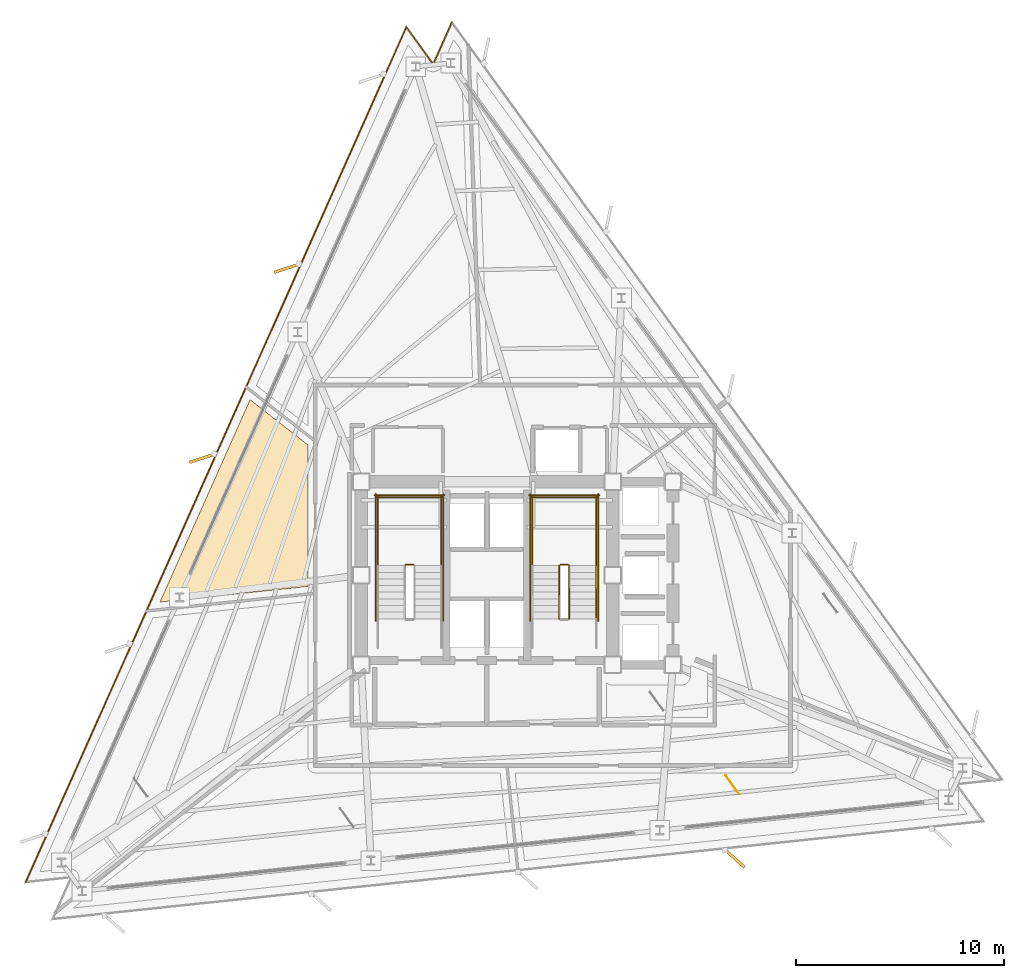
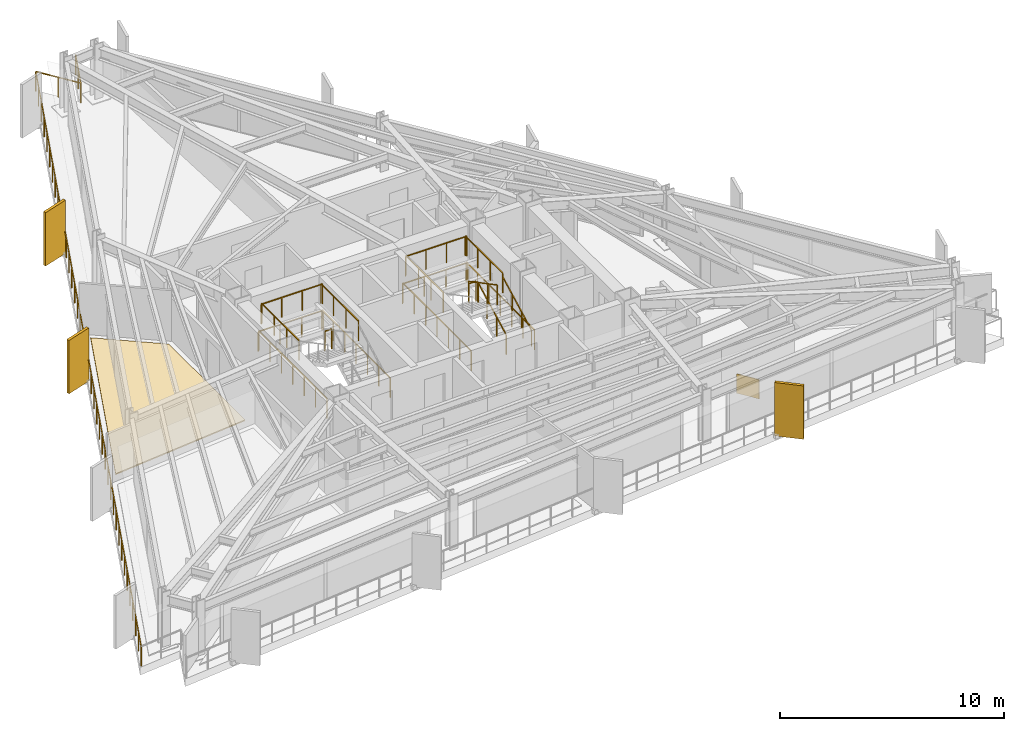
# One storey, part 11 of 12: 18 railings, 3 shading devices, 2 coverings.
"""IFC4 building model written with IfcOpenShell, lengths in metres."""

from ifc_helpers import new_model, si_unit, direction, frame, origin, origin_2d, place, context, subcontext, project, spatial, polyline, rectangle, outline, extrude, material, layer, layer_set, type_object, element, save


model = new_model("IFC4")

# Units and contexts
model_context = context("Model", 3, precision=1e-05, world=origin(), true_north=direction((0.0, 1.0)))
body_context = subcontext(model_context, "Body", "Model", "MODEL_VIEW")
ifc_project = project(units=[si_unit("LENGTHUNIT", "METRE"), si_unit("AREAUNIT", "SQUARE_METRE"), si_unit("VOLUMEUNIT", "CUBIC_METRE"), si_unit("PLANEANGLEUNIT", "RADIAN"), si_unit("MASSUNIT", "GRAM", prefix="KILO")], contexts=[model_context])

# Site, building, storey
site_placement = place(None, origin())
site = spatial("IfcSite", under=ifc_project, at=site_placement, CompositionType="ELEMENT")
building_placement = place(site_placement, origin())
building = spatial("IfcBuilding", under=site, at=building_placement, Name="Rocaltana Carrier Exchange", CompositionType="ELEMENT")
storey_placement = place(building_placement, frame((0.0, 0.0, 104.639892578125)))
storey = spatial("IfcBuildingStorey", under=building, at=storey_placement, Name="L32", CompositionType="ELEMENT", Elevation=104.639892578125)

# Covering
ifc_material_1 = material(Name="Calcium Sulphate & Aluminium Pedestal", Category="aluminium")
ifc_layer_1 = layer(ifc_material_1, 0.06005859375)
ifc_layer_set_1 = layer_set([ifc_layer_1], Name="Calcium Sulphate & Aluminium Pedestal")
covering_type_1 = type_object("IfcCoveringType", Name="Anti-Static Raised Exchange Access Floor 60", PredefinedType="FLOORING", material=ifc_layer_set_1)
covering_1_placement = place(storey_placement, origin())
element("IfcCovering", 1, at=covering_1_placement, inside=storey, type_object=covering_type_1, Name="L32 Carrier Peering Suite Finish Floor", PredefinedType="FLOORING", context=body_context, shape_type="SweptSolid", body=[
    extrude(outline(polyline([(-11.389404296875, 8.441650390625), (-8.610107421875, 6.27001953125), (-8.610107421875, -0.54296875), (-15.722412109375, -1.29052734375), (-11.389404296875, 8.441650390625)])), origin(), (0.0, 0.0, 1.0), 0.06005859375),
])

# Railings
ifc_material_2 = material(Name="Brushed Architectural Stainless Tube", Category="steel")
ifc_layer_2 = layer(ifc_material_2, 0.048095703125)
ifc_layer_set_2 = layer_set([ifc_layer_2], Name="Brushed Architectural Stainless Tube")
railing_type_1 = type_object("IfcRailingType", Name="Stair Wall Handrail 920", PredefinedType="HANDRAIL", material=ifc_layer_set_2)
railing_1_placement = place(storey_placement, frame((5.25, -2.10009765625, 0.1689453125)))
element("IfcRailing", 2, at=railing_1_placement, inside=storey, type_object=railing_type_1, Name="L32 ST-2 stair handrail 1", PredefinedType="HANDRAIL", context=body_context, shape_type="SweptSolid", body=[
    extrude(rectangle(XDim=0.048095703125, YDim=0.048095703125, at=origin_2d()), frame((0.0, 0.0, 0.8759765625), z_axis=(0.0, 0.884394423565, 0.466740295633), x_axis=(-1.0, 0.0, 0.0)), (0.0, 0.0, 1.0), 2.894775390625),
    extrude(rectangle(XDim=0.0419921875, YDim=0.0419921875, at=origin_2d()), origin(), (0.0, 0.0, 1.0), 0.851806640625),
    extrude(rectangle(XDim=0.0419921875, YDim=0.0419921875, at=origin_2d()), frame((0.0, 0.853271484375, 0.450439453125)), (0.0, 0.0, 1.0), 0.851806640625),
    extrude(rectangle(XDim=0.0419921875, YDim=0.0419921875, at=origin_2d()), frame((0.0, 1.706787109375, 0.900634765625)), (0.0, 0.0, 1.0), 0.851806640625),
    extrude(rectangle(XDim=0.0419921875, YDim=0.0419921875, at=origin_2d()), frame((0.0, 2.56005859375, 1.35107421875)), (0.0, 0.0, 1.0), 0.851806640625),
])
ifc_material_3 = material(Name="Powder-Coated Aluminium 6063-T6", Category="aluminium")
ifc_layer_3 = layer(ifc_material_3, 0.048095703125)
ifc_layer_set_3 = layer_set([ifc_layer_3], Name="Powder-Coated Aluminium 6063-T6")
railing_type_2 = type_object("IfcRailingType", Name="Stair Well Guardrail 1100", PredefinedType="GUARDRAIL", material=ifc_layer_set_3)
railing_2_placement = place(storey_placement, frame((-3.5400390625, 0.510009765625, 1.52001953125)))
element("IfcRailing", 3, at=railing_2_placement, inside=storey, type_object=railing_type_2, Name="L32 ST-1 stair guard 2", PredefinedType="GUARDRAIL", context=body_context, shape_type="SweptSolid", body=[
    extrude(rectangle(XDim=0.048095703125, YDim=0.048095703125, at=origin_2d()), frame((0.0, 0.0, 1.076171875), z_axis=(-1.0, 0.0, 0.0), x_axis=(0.0, -1.0, 0.0)), (0.0, 0.0, 1.0), 0.35986328125),
    extrude(rectangle(XDim=0.0419921875, YDim=0.0419921875, at=origin_2d()), origin(), (0.0, 0.0, 1.0), 1.052001953125),
    extrude(rectangle(XDim=0.0419921875, YDim=0.0419921875, at=origin_2d()), frame((-0.35986328125, 0.0, 0.0)), (0.0, 0.0, 1.0), 1.052001953125),
])
for number, where, name in (
    (4, (-2.18994140625, 0.4599609375, 1.52001953125), "L32 ST-1 stair guard 3"),
    (5, (-5.25, 0.4599609375, 1.52001953125), "L32 ST-1 stair guard 4"),
):
    element("IfcRailing", number, at=place(storey_placement, frame(where)), inside=storey, type_object=railing_type_2, Name=name, PredefinedType="GUARDRAIL", context=body_context, shape_type="SweptSolid", body=[
        extrude(rectangle(XDim=0.048095703125, YDim=0.048095703125, at=origin_2d()), frame((0.0, 0.0, 1.076171875), z_axis=(0.0, 1.0, 0.0), x_axis=(-1.0, 0.0, 0.0)), (0.0, 0.0, 1.0), 3.340087890625),
        extrude(rectangle(XDim=0.0419921875, YDim=0.0419921875, at=origin_2d()), origin(), (0.0, 0.0, 1.0), 1.052001953125),
        extrude(rectangle(XDim=0.0419921875, YDim=0.0419921875, at=origin_2d()), frame((0.0, 1.11328125, 0.0)), (0.0, 0.0, 1.0), 1.052001953125),
        extrude(rectangle(XDim=0.0419921875, YDim=0.0419921875, at=origin_2d()), frame((0.0, 2.226806640625, 0.0)), (0.0, 0.0, 1.0), 1.052001953125),
        extrude(rectangle(XDim=0.0419921875, YDim=0.0419921875, at=origin_2d()), frame((0.0, 3.340087890625, 0.0)), (0.0, 0.0, 1.0), 1.052001953125),
    ])
railing_3_placement = place(storey_placement, frame((-2.139892578125, 3.75, 1.52001953125)))
element("IfcRailing", 6, at=railing_3_placement, inside=storey, type_object=railing_type_2, Name="L32 ST-1 stair guard 5", PredefinedType="GUARDRAIL", context=body_context, shape_type="SweptSolid", body=[
    extrude(rectangle(XDim=0.048095703125, YDim=0.048095703125, at=origin_2d()), frame((0.0, 0.0, 1.076171875), z_axis=(-1.0, 0.0, 0.0), x_axis=(0.0, -1.0, 0.0)), (0.0, 0.0, 1.0), 3.16015625),
    extrude(rectangle(XDim=0.0419921875, YDim=0.0419921875, at=origin_2d()), origin(), (0.0, 0.0, 1.0), 1.052001953125),
    extrude(rectangle(XDim=0.0419921875, YDim=0.0419921875, at=origin_2d()), frame((-1.053466796875, 0.0, 0.0)), (0.0, 0.0, 1.0), 1.052001953125),
    extrude(rectangle(XDim=0.0419921875, YDim=0.0419921875, at=origin_2d()), frame((-2.106689453125, 0.0, 0.0)), (0.0, 0.0, 1.0), 1.052001953125),
    extrude(rectangle(XDim=0.0419921875, YDim=0.0419921875, at=origin_2d()), frame((-3.16015625, 0.0, 0.0)), (0.0, 0.0, 1.0), 1.052001953125),
])
for number, where, name in (
    (7, (-2.090087890625, -2.199951171875, 0.0), "L32 ST-1 stair guard 10"),
    (8, (-5.35009765625, -2.199951171875, 0.0), "L32 ST-1 stair guard 11"),
):
    element("IfcRailing", number, at=place(storey_placement, frame(where)), inside=storey, type_object=railing_type_2, Name=name, PredefinedType="GUARDRAIL", context=body_context, shape_type="SweptSolid", body=[
        extrude(rectangle(XDim=0.048095703125, YDim=0.048095703125, at=origin_2d()), frame((0.0, 0.0, 1.076171875), z_axis=(0.0, 1.0, 0.0), x_axis=(-1.0, 0.0, 0.0)), (0.0, 0.0, 1.0), 6.099853515625),
        extrude(rectangle(XDim=0.0419921875, YDim=0.0419921875, at=origin_2d()), origin(), (0.0, 0.0, 1.0), 1.052001953125),
        extrude(rectangle(XDim=0.0419921875, YDim=0.0419921875, at=origin_2d()), frame((0.0, 1.0166015625, 0.0)), (0.0, 0.0, 1.0), 1.052001953125),
        extrude(rectangle(XDim=0.0419921875, YDim=0.0419921875, at=origin_2d()), frame((0.0, 2.033203125, 0.0)), (0.0, 0.0, 1.0), 1.052001953125),
        extrude(rectangle(XDim=0.0419921875, YDim=0.0419921875, at=origin_2d()), frame((0.0, 3.0498046875, 0.0)), (0.0, 0.0, 1.0), 1.052001953125),
        extrude(rectangle(XDim=0.0419921875, YDim=0.0419921875, at=origin_2d()), frame((0.0, 4.066650390625, 0.0)), (0.0, 0.0, 1.0), 1.052001953125),
        extrude(rectangle(XDim=0.0419921875, YDim=0.0419921875, at=origin_2d()), frame((0.0, 5.083251953125, 0.0)), (0.0, 0.0, 1.0), 1.052001953125),
        extrude(rectangle(XDim=0.0419921875, YDim=0.0419921875, at=origin_2d()), frame((0.0, 6.099853515625, 0.0)), (0.0, 0.0, 1.0), 1.052001953125),
    ])
railing_4_placement = place(storey_placement, frame((-2.0400390625, 3.85009765625, 0.0)))
element("IfcRailing", 9, at=railing_4_placement, inside=storey, type_object=railing_type_2, Name="L32 ST-1 stair guard 12", PredefinedType="GUARDRAIL", context=body_context, shape_type="SweptSolid", body=[
    extrude(rectangle(XDim=0.048095703125, YDim=0.048095703125, at=origin_2d()), frame((0.0, 0.0, 1.076171875), z_axis=(-1.0, 0.0, 0.0), x_axis=(0.0, -1.0, 0.0)), (0.0, 0.0, 1.0), 3.35986328125),
    extrude(rectangle(XDim=0.0419921875, YDim=0.0419921875, at=origin_2d()), origin(), (0.0, 0.0, 1.0), 1.052001953125),
    extrude(rectangle(XDim=0.0419921875, YDim=0.0419921875, at=origin_2d()), frame((-1.119873046875, 0.0, 0.0)), (0.0, 0.0, 1.0), 1.052001953125),
    extrude(rectangle(XDim=0.0419921875, YDim=0.0419921875, at=origin_2d()), frame((-2.239990234375, 0.0, 0.0)), (0.0, 0.0, 1.0), 1.052001953125),
    extrude(rectangle(XDim=0.0419921875, YDim=0.0419921875, at=origin_2d()), frame((-3.35986328125, 0.0, 0.0)), (0.0, 0.0, 1.0), 1.052001953125),
])
railing_5_placement = place(storey_placement, frame((3.949951171875, -2.10009765625, 0.1689453125)))
element("IfcRailing", 10, at=railing_5_placement, inside=storey, type_object=railing_type_2, Name="L32 ST-2 stair guard 1", PredefinedType="GUARDRAIL", context=body_context, shape_type="SweptSolid", body=[
    extrude(rectangle(XDim=0.048095703125, YDim=0.048095703125, at=origin_2d()), frame((0.0, 0.0, 1.076171875), z_axis=(0.0, 0.884394423565, 0.466740295633), x_axis=(-1.0, 0.0, 0.0)), (0.0, 0.0, 1.0), 2.894775390625),
    extrude(rectangle(XDim=0.0419921875, YDim=0.0419921875, at=origin_2d()), origin(), (0.0, 0.0, 1.0), 1.052001953125),
    extrude(rectangle(XDim=0.0419921875, YDim=0.0419921875, at=origin_2d()), frame((0.0, 0.853271484375, 0.450439453125)), (0.0, 0.0, 1.0), 1.052001953125),
    extrude(rectangle(XDim=0.0419921875, YDim=0.0419921875, at=origin_2d()), frame((0.0, 1.706787109375, 0.900634765625)), (0.0, 0.0, 1.0), 1.052001953125),
    extrude(rectangle(XDim=0.0419921875, YDim=0.0419921875, at=origin_2d()), frame((0.0, 2.56005859375, 1.35107421875)), (0.0, 0.0, 1.0), 1.052001953125),
])
railing_6_placement = place(storey_placement, frame((3.89990234375, 0.510009765625, 1.52001953125)))
element("IfcRailing", 11, at=railing_6_placement, inside=storey, type_object=railing_type_2, Name="L32 ST-2 stair guard 2", PredefinedType="GUARDRAIL", context=body_context, shape_type="SweptSolid", body=[
    extrude(rectangle(XDim=0.048095703125, YDim=0.048095703125, at=origin_2d()), frame((0.0, 0.0, 1.076171875), z_axis=(-1.0, 0.0, 0.0), x_axis=(0.0, -1.0, 0.0)), (0.0, 0.0, 1.0), 0.35986328125),
    extrude(rectangle(XDim=0.0419921875, YDim=0.0419921875, at=origin_2d()), origin(), (0.0, 0.0, 1.0), 1.052001953125),
    extrude(rectangle(XDim=0.0419921875, YDim=0.0419921875, at=origin_2d()), frame((-0.35986328125, 0.0, 0.0)), (0.0, 0.0, 1.0), 1.052001953125),
])
for number, where, name in (
    (12, (5.25, 0.4599609375, 1.52001953125), "L32 ST-2 stair guard 3"),
    (13, (2.18994140625, 0.4599609375, 1.52001953125), "L32 ST-2 stair guard 4"),
):
    element("IfcRailing", number, at=place(storey_placement, frame(where)), inside=storey, type_object=railing_type_2, Name=name, PredefinedType="GUARDRAIL", context=body_context, shape_type="SweptSolid", body=[
        extrude(rectangle(XDim=0.048095703125, YDim=0.048095703125, at=origin_2d()), frame((0.0, 0.0, 1.076171875), z_axis=(0.0, 1.0, 0.0), x_axis=(-1.0, 0.0, 0.0)), (0.0, 0.0, 1.0), 3.340087890625),
        extrude(rectangle(XDim=0.0419921875, YDim=0.0419921875, at=origin_2d()), origin(), (0.0, 0.0, 1.0), 1.052001953125),
        extrude(rectangle(XDim=0.0419921875, YDim=0.0419921875, at=origin_2d()), frame((0.0, 1.11328125, 0.0)), (0.0, 0.0, 1.0), 1.052001953125),
        extrude(rectangle(XDim=0.0419921875, YDim=0.0419921875, at=origin_2d()), frame((0.0, 2.226806640625, 0.0)), (0.0, 0.0, 1.0), 1.052001953125),
        extrude(rectangle(XDim=0.0419921875, YDim=0.0419921875, at=origin_2d()), frame((0.0, 3.340087890625, 0.0)), (0.0, 0.0, 1.0), 1.052001953125),
    ])
railing_7_placement = place(storey_placement, frame((5.300048828125, 3.75, 1.52001953125)))
element("IfcRailing", 14, at=railing_7_placement, inside=storey, type_object=railing_type_2, Name="L32 ST-2 stair guard 5", PredefinedType="GUARDRAIL", context=body_context, shape_type="SweptSolid", body=[
    extrude(rectangle(XDim=0.048095703125, YDim=0.048095703125, at=origin_2d()), frame((0.0, 0.0, 1.076171875), z_axis=(-1.0, 0.0, 0.0), x_axis=(0.0, -1.0, 0.0)), (0.0, 0.0, 1.0), 3.16015625),
    extrude(rectangle(XDim=0.0419921875, YDim=0.0419921875, at=origin_2d()), origin(), (0.0, 0.0, 1.0), 1.052001953125),
    extrude(rectangle(XDim=0.0419921875, YDim=0.0419921875, at=origin_2d()), frame((-1.053466796875, 0.0, 0.0)), (0.0, 0.0, 1.0), 1.052001953125),
    extrude(rectangle(XDim=0.0419921875, YDim=0.0419921875, at=origin_2d()), frame((-2.106689453125, 0.0, 0.0)), (0.0, 0.0, 1.0), 1.052001953125),
    extrude(rectangle(XDim=0.0419921875, YDim=0.0419921875, at=origin_2d()), frame((-3.16015625, 0.0, 0.0)), (0.0, 0.0, 1.0), 1.052001953125),
])
railing_8_placement = place(storey_placement, frame((3.489990234375, 0.4599609375, 1.68896484375)))
element("IfcRailing", 15, at=railing_8_placement, inside=storey, type_object=railing_type_2, Name="L32 ST-2 stair guard 6", PredefinedType="GUARDRAIL", context=body_context, shape_type="SweptSolid", body=[
    extrude(rectangle(XDim=0.048095703125, YDim=0.048095703125, at=origin_2d()), frame((0.0, 0.0, 1.076171875), z_axis=(0.0, -0.884394423565, 0.466740295633), x_axis=(1.0, 0.0, 0.0)), (0.0, 0.0, 1.0), 2.894775390625),
    extrude(rectangle(XDim=0.0419921875, YDim=0.0419921875, at=origin_2d()), origin(), (0.0, 0.0, 1.0), 1.052001953125),
    extrude(rectangle(XDim=0.0419921875, YDim=0.0419921875, at=origin_2d()), frame((0.0, -0.853271484375, 0.450439453125)), (0.0, 0.0, 1.0), 1.052001953125),
    extrude(rectangle(XDim=0.0419921875, YDim=0.0419921875, at=origin_2d()), frame((0.0, -1.706787109375, 0.900634765625)), (0.0, 0.0, 1.0), 1.052001953125),
    extrude(rectangle(XDim=0.0419921875, YDim=0.0419921875, at=origin_2d()), frame((0.0, -2.56005859375, 1.35107421875)), (0.0, 0.0, 1.0), 1.052001953125),
])
for number, where, name in (
    (16, (5.35009765625, -2.199951171875, 0.0), "L32 ST-2 stair guard 10"),
    (17, (2.090087890625, -2.199951171875, 0.0), "L32 ST-2 stair guard 11"),
):
    element("IfcRailing", number, at=place(storey_placement, frame(where)), inside=storey, type_object=railing_type_2, Name=name, PredefinedType="GUARDRAIL", context=body_context, shape_type="SweptSolid", body=[
        extrude(rectangle(XDim=0.048095703125, YDim=0.048095703125, at=origin_2d()), frame((0.0, 0.0, 1.076171875), z_axis=(0.0, 1.0, 0.0), x_axis=(-1.0, 0.0, 0.0)), (0.0, 0.0, 1.0), 6.099853515625),
        extrude(rectangle(XDim=0.0419921875, YDim=0.0419921875, at=origin_2d()), origin(), (0.0, 0.0, 1.0), 1.052001953125),
        extrude(rectangle(XDim=0.0419921875, YDim=0.0419921875, at=origin_2d()), frame((0.0, 1.0166015625, 0.0)), (0.0, 0.0, 1.0), 1.052001953125),
        extrude(rectangle(XDim=0.0419921875, YDim=0.0419921875, at=origin_2d()), frame((0.0, 2.033203125, 0.0)), (0.0, 0.0, 1.0), 1.052001953125),
        extrude(rectangle(XDim=0.0419921875, YDim=0.0419921875, at=origin_2d()), frame((0.0, 3.0498046875, 0.0)), (0.0, 0.0, 1.0), 1.052001953125),
        extrude(rectangle(XDim=0.0419921875, YDim=0.0419921875, at=origin_2d()), frame((0.0, 4.066650390625, 0.0)), (0.0, 0.0, 1.0), 1.052001953125),
        extrude(rectangle(XDim=0.0419921875, YDim=0.0419921875, at=origin_2d()), frame((0.0, 5.083251953125, 0.0)), (0.0, 0.0, 1.0), 1.052001953125),
        extrude(rectangle(XDim=0.0419921875, YDim=0.0419921875, at=origin_2d()), frame((0.0, 6.099853515625, 0.0)), (0.0, 0.0, 1.0), 1.052001953125),
    ])
railing_9_placement = place(storey_placement, frame((5.39990234375, 3.85009765625, 0.0)))
element("IfcRailing", 18, at=railing_9_placement, inside=storey, type_object=railing_type_2, Name="L32 ST-2 stair guard 12", PredefinedType="GUARDRAIL", context=body_context, shape_type="SweptSolid", body=[
    extrude(rectangle(XDim=0.048095703125, YDim=0.048095703125, at=origin_2d()), frame((0.0, 0.0, 1.076171875), z_axis=(-1.0, 0.0, 0.0), x_axis=(0.0, -1.0, 0.0)), (0.0, 0.0, 1.0), 3.35986328125),
    extrude(rectangle(XDim=0.0419921875, YDim=0.0419921875, at=origin_2d()), origin(), (0.0, 0.0, 1.0), 1.052001953125),
    extrude(rectangle(XDim=0.0419921875, YDim=0.0419921875, at=origin_2d()), frame((-1.119873046875, 0.0, 0.0)), (0.0, 0.0, 1.0), 1.052001953125),
    extrude(rectangle(XDim=0.0419921875, YDim=0.0419921875, at=origin_2d()), frame((-2.239990234375, 0.0, 0.0)), (0.0, 0.0, 1.0), 1.052001953125),
    extrude(rectangle(XDim=0.0419921875, YDim=0.0419921875, at=origin_2d()), frame((-3.35986328125, 0.0, 0.0)), (0.0, 0.0, 1.0), 1.052001953125),
])

# Covering
ifc_material_4 = material(Name="Honed Piedra Muneca Sandstone", Category="masonry")
ifc_layer_4 = layer(ifc_material_4, 0.034912109375)
ifc_layer_set_4 = layer_set([ifc_layer_4], Name="Honed Piedra Muneca Sandstone")
covering_type_2 = type_object("IfcCoveringType", Name="Stone Facade Cladding 35", PredefinedType="CLADDING", material=ifc_layer_set_4)
covering_2_placement = place(storey_placement, frame((11.811279296875, -10.088134765625, 0.0), z_axis=(0.0, 0.0, 1.0), x_axis=(-0.587785252292, 0.809016994375, 0.0)))
element("IfcCovering", 19, at=covering_2_placement, inside=storey, type_object=covering_type_2, Name="L32 Stone Facade Cladding Panel 3", PredefinedType="CLADDING", context=body_context, shape_type="SweptSolid", body=[
    extrude(rectangle(XDim=1.10009765625, YDim=0.034912109375, at=origin_2d()), origin(), (0.0, 0.0, 1.0), 1.050048828125),
])

# Shading devices
ifc_material_5 = material(Name="Honed Bogota Sandstone & Concrete C45/55", Category="masonry")
ifc_layer_5 = layer(ifc_material_5, 0.139892578125)
ifc_layer_set_5 = layer_set([ifc_layer_5], Name="Honed Bogota Sandstone & Concrete C45/55")
shading_device_type = type_object("IfcShadingDeviceType", Name="Vertical Sandstone Shading Fin 1320x140", PredefinedType="USERDEFINED", material=ifc_layer_set_5)
for number, where, z_axis, x_axis, name in (
    (20, (-9.602783203125, 14.767578125, -0.11962890625), (0.0, 0.0, 1.0), (-0.951056516295, -0.309016994375, 0.0), "L32 Sandstone Vertical Fin F2-02"),
    (21, (-13.670166015625, 5.632080078125, -0.11962890625), (0.0, 0.0, 1.0), (-0.951056516295, -0.309016994375, 0.0), "L32 Sandstone Vertical Fin F2-03"),
    (22, (11.902587890625, -13.609375, -0.11962890625), (0.0, 0.0, 1.0), (0.743144825477, -0.669130606359, 0.0), "L32 Sandstone Vertical Fin F3-04"),
):
    element("IfcShadingDevice", number, at=place(storey_placement, frame(where, z_axis=z_axis, x_axis=x_axis)), inside=storey, type_object=shading_device_type, Name=name, ObjectType="FIN", PredefinedType="USERDEFINED", context=body_context, shape_type="SweptSolid", body=[
        extrude(rectangle(XDim=1.320068359375, YDim=0.139892578125, at=origin_2d()), origin(), (0.0, 0.0, 1.0), 2.907958984375),
    ])

# Railing
ifc_material_6 = material(Name="Powder-Coated Aluminium 6063-T6", Category="aluminium")
ifc_layer_6 = layer(ifc_material_6, 0.06005859375)
ifc_layer_set_6 = layer_set([ifc_layer_6], Name="Powder-Coated Aluminium 6063-T6")
railing_type_3 = type_object("IfcRailingType", Name="Wind-Floor & Terrace Perimeter Guardrail 1100", PredefinedType="GUARDRAIL", material=ifc_layer_set_6)
railing_10_placement = place(storey_placement, frame((-22.175537109375, -14.751953125, 0.0)))
element("IfcRailing", 23, at=railing_10_placement, inside=storey, type_object=railing_type_3, Name="L32 Perimeter Balcony Guardrail 2", PredefinedType="GUARDRAIL", context=body_context, shape_type="SweptSolid", body=[
    extrude(rectangle(XDim=0.048095703125, YDim=0.048095703125, at=origin_2d()), frame((0.0, 0.0, 1.076171875), z_axis=(0.406732474308, 0.913547313686, 0.0), x_axis=(-0.913547313686, 0.406732474308, 0.0)), (0.0, 0.0, 1.0), 44.9921875),
    extrude(rectangle(XDim=0.048095703125, YDim=0.048095703125, at=origin_2d()), frame((18.2998046875, 41.1025390625, 1.076171875), z_axis=(0.587821928992, -0.808990345923, 0.0), x_axis=(0.808990345923, 0.587821928992, 0.0)), (0.0, 0.0, 1.0), 2.199951171875),
    extrude(rectangle(XDim=0.048095703125, YDim=0.048095703125, at=origin_2d()), frame((19.593017578125, 39.32275390625, 1.076171875), z_axis=(0.406725294076, 0.913550510459, 0.0), x_axis=(-0.913550510459, 0.406725294076, 0.0)), (0.0, 0.0, 1.0), 2.199951171875),
    extrude(rectangle(XDim=0.0419921875, YDim=0.0419921875, at=origin_2d()), origin(), (0.0, 0.0, 1.0), 1.052001953125),
    extrude(rectangle(XDim=0.0419921875, YDim=0.0419921875, at=origin_2d()), frame((0.481689453125, 1.08154296875, 0.0)), (0.0, 0.0, 1.0), 1.052001953125),
    extrude(rectangle(XDim=0.0419921875, YDim=0.0419921875, at=origin_2d()), frame((0.963134765625, 2.163330078125, 0.0)), (0.0, 0.0, 1.0), 1.052001953125),
    extrude(rectangle(XDim=0.0419921875, YDim=0.0419921875, at=origin_2d()), frame((1.44482421875, 3.244873046875, 0.0)), (0.0, 0.0, 1.0), 1.052001953125),
    extrude(rectangle(XDim=0.0419921875, YDim=0.0419921875, at=origin_2d()), frame((1.92626953125, 4.32666015625, 0.0)), (0.0, 0.0, 1.0), 1.052001953125),
    extrude(rectangle(XDim=0.0419921875, YDim=0.0419921875, at=origin_2d()), frame((2.407958984375, 5.408203125, 0.0)), (0.0, 0.0, 1.0), 1.052001953125),
    extrude(rectangle(XDim=0.0419921875, YDim=0.0419921875, at=origin_2d()), frame((2.889404296875, 6.489990234375, 0.0)), (0.0, 0.0, 1.0), 1.052001953125),
    extrude(rectangle(XDim=0.0419921875, YDim=0.0419921875, at=origin_2d()), frame((3.37109375, 7.571533203125, 0.0)), (0.0, 0.0, 1.0), 1.052001953125),
    extrude(rectangle(XDim=0.0419921875, YDim=0.0419921875, at=origin_2d()), frame((3.8525390625, 8.653076171875, 0.0)), (0.0, 0.0, 1.0), 1.052001953125),
    extrude(rectangle(XDim=0.0419921875, YDim=0.0419921875, at=origin_2d()), frame((4.334228515625, 9.73486328125, 0.0)), (0.0, 0.0, 1.0), 1.052001953125),
    extrude(rectangle(XDim=0.0419921875, YDim=0.0419921875, at=origin_2d()), frame((4.815673828125, 10.81640625, 0.0)), (0.0, 0.0, 1.0), 1.052001953125),
    extrude(rectangle(XDim=0.0419921875, YDim=0.0419921875, at=origin_2d()), frame((5.29736328125, 11.898193359375, 0.0)), (0.0, 0.0, 1.0), 1.052001953125),
    extrude(rectangle(XDim=0.0419921875, YDim=0.0419921875, at=origin_2d()), frame((5.77880859375, 12.979736328125, 0.0)), (0.0, 0.0, 1.0), 1.052001953125),
    extrude(rectangle(XDim=0.0419921875, YDim=0.0419921875, at=origin_2d()), frame((6.260498046875, 14.061279296875, 0.0)), (0.0, 0.0, 1.0), 1.052001953125),
    extrude(rectangle(XDim=0.0419921875, YDim=0.0419921875, at=origin_2d()), frame((6.741943359375, 15.14306640625, 0.0)), (0.0, 0.0, 1.0), 1.052001953125),
    extrude(rectangle(XDim=0.0419921875, YDim=0.0419921875, at=origin_2d()), frame((7.2236328125, 16.224609375, 0.0)), (0.0, 0.0, 1.0), 1.052001953125),
    extrude(rectangle(XDim=0.0419921875, YDim=0.0419921875, at=origin_2d()), frame((7.705078125, 17.306396484375, 0.0)), (0.0, 0.0, 1.0), 1.052001953125),
    extrude(rectangle(XDim=0.0419921875, YDim=0.0419921875, at=origin_2d()), frame((8.186767578125, 18.387939453125, 0.0)), (0.0, 0.0, 1.0), 1.052001953125),
    extrude(rectangle(XDim=0.0419921875, YDim=0.0419921875, at=origin_2d()), frame((8.668212890625, 19.4697265625, 0.0)), (0.0, 0.0, 1.0), 1.052001953125),
    extrude(rectangle(XDim=0.0419921875, YDim=0.0419921875, at=origin_2d()), frame((9.14990234375, 20.55126953125, 0.0)), (0.0, 0.0, 1.0), 1.052001953125),
    extrude(rectangle(XDim=0.0419921875, YDim=0.0419921875, at=origin_2d()), frame((9.631591796875, 21.6328125, 0.0)), (0.0, 0.0, 1.0), 1.052001953125),
    extrude(rectangle(XDim=0.0419921875, YDim=0.0419921875, at=origin_2d()), frame((10.113037109375, 22.714599609375, 0.0)), (0.0, 0.0, 1.0), 1.052001953125),
    extrude(rectangle(XDim=0.0419921875, YDim=0.0419921875, at=origin_2d()), frame((10.5947265625, 23.796142578125, 0.0)), (0.0, 0.0, 1.0), 1.052001953125),
    extrude(rectangle(XDim=0.0419921875, YDim=0.0419921875, at=origin_2d()), frame((11.076171875, 24.8779296875, 0.0)), (0.0, 0.0, 1.0), 1.052001953125),
    extrude(rectangle(XDim=0.0419921875, YDim=0.0419921875, at=origin_2d()), frame((11.557861328125, 25.95947265625, 0.0)), (0.0, 0.0, 1.0), 1.052001953125),
    extrude(rectangle(XDim=0.0419921875, YDim=0.0419921875, at=origin_2d()), frame((12.039306640625, 27.041259765625, 0.0)), (0.0, 0.0, 1.0), 1.052001953125),
    extrude(rectangle(XDim=0.0419921875, YDim=0.0419921875, at=origin_2d()), frame((12.52099609375, 28.122802734375, 0.0)), (0.0, 0.0, 1.0), 1.052001953125),
    extrude(rectangle(XDim=0.0419921875, YDim=0.0419921875, at=origin_2d()), frame((13.00244140625, 29.204345703125, 0.0)), (0.0, 0.0, 1.0), 1.052001953125),
    extrude(rectangle(XDim=0.0419921875, YDim=0.0419921875, at=origin_2d()), frame((13.484130859375, 30.2861328125, 0.0)), (0.0, 0.0, 1.0), 1.052001953125),
    extrude(rectangle(XDim=0.0419921875, YDim=0.0419921875, at=origin_2d()), frame((13.965576171875, 31.36767578125, 0.0)), (0.0, 0.0, 1.0), 1.052001953125),
    extrude(rectangle(XDim=0.0419921875, YDim=0.0419921875, at=origin_2d()), frame((14.447265625, 32.449462890625, 0.0)), (0.0, 0.0, 1.0), 1.052001953125),
    extrude(rectangle(XDim=0.0419921875, YDim=0.0419921875, at=origin_2d()), frame((14.9287109375, 33.531005859375, 0.0)), (0.0, 0.0, 1.0), 1.052001953125),
    extrude(rectangle(XDim=0.0419921875, YDim=0.0419921875, at=origin_2d()), frame((15.410400390625, 34.612548828125, 0.0)), (0.0, 0.0, 1.0), 1.052001953125),
    extrude(rectangle(XDim=0.0419921875, YDim=0.0419921875, at=origin_2d()), frame((15.891845703125, 35.6943359375, 0.0)), (0.0, 0.0, 1.0), 1.052001953125),
    extrude(rectangle(XDim=0.0419921875, YDim=0.0419921875, at=origin_2d()), frame((16.37353515625, 36.77587890625, 0.0)), (0.0, 0.0, 1.0), 1.052001953125),
    extrude(rectangle(XDim=0.0419921875, YDim=0.0419921875, at=origin_2d()), frame((16.85498046875, 37.857666015625, 0.0)), (0.0, 0.0, 1.0), 1.052001953125),
    extrude(rectangle(XDim=0.0419921875, YDim=0.0419921875, at=origin_2d()), frame((17.336669921875, 38.939208984375, 0.0)), (0.0, 0.0, 1.0), 1.052001953125),
    extrude(rectangle(XDim=0.0419921875, YDim=0.0419921875, at=origin_2d()), frame((17.818115234375, 40.02099609375, 0.0)), (0.0, 0.0, 1.0), 1.052001953125),
    extrude(rectangle(XDim=0.0419921875, YDim=0.0419921875, at=origin_2d()), frame((18.2998046875, 41.1025390625, 0.0)), (0.0, 0.0, 1.0), 1.052001953125),
    extrude(rectangle(XDim=0.0419921875, YDim=0.0419921875, at=origin_2d()), frame((18.9462890625, 40.212646484375, 0.0)), (0.0, 0.0, 1.0), 1.052001953125),
    extrude(rectangle(XDim=0.0419921875, YDim=0.0419921875, at=origin_2d()), frame((19.593017578125, 39.32275390625, 0.0)), (0.0, 0.0, 1.0), 1.052001953125),
    extrude(rectangle(XDim=0.0419921875, YDim=0.0419921875, at=origin_2d()), frame((20.04052734375, 40.32763671875, 0.0)), (0.0, 0.0, 1.0), 1.052001953125),
    extrude(rectangle(XDim=0.0419921875, YDim=0.0419921875, at=origin_2d()), frame((20.48779296875, 41.33251953125, 0.0)), (0.0, 0.0, 1.0), 1.052001953125),
])

save(model, "model.ifc")
